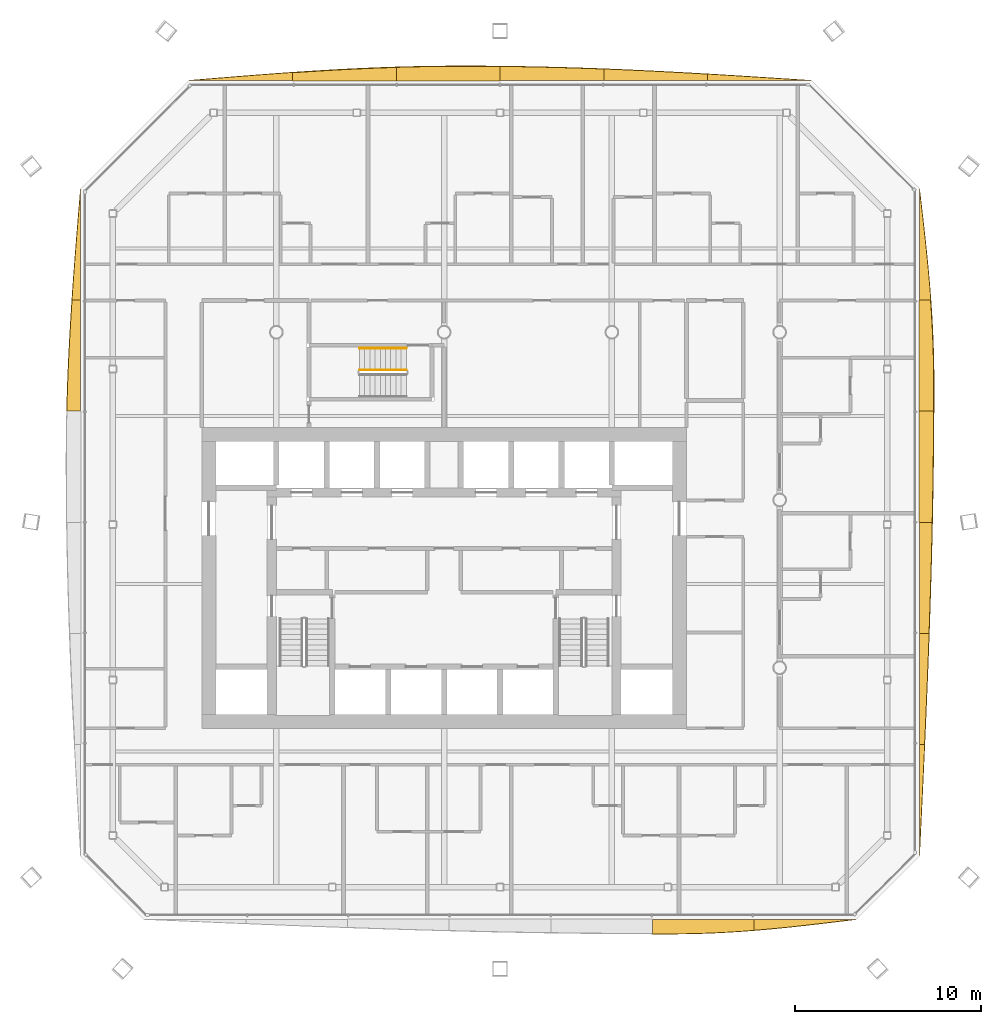
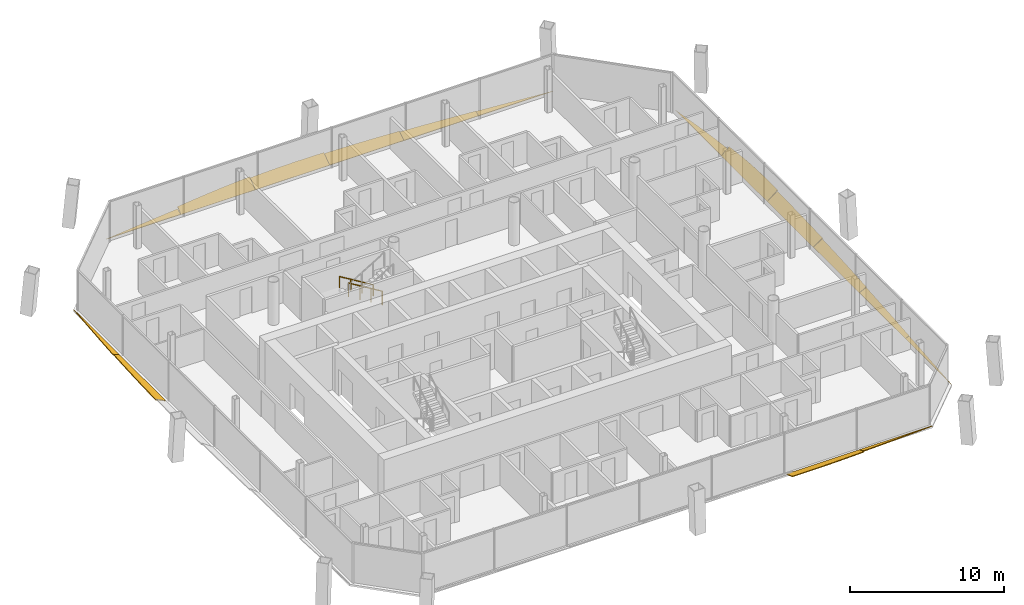
# One storey, part 18 of 18: 16 shading devices, 2 railings.
"""IFC4 building model written with IfcOpenShell, lengths in metres."""

from ifc_helpers import new_model, si_unit, direction, frame, origin, origin_2d, place, context, subcontext, project, spatial, polyline, circle, outline, extrude, material, layer, layer_set, type_object, element, save


model = new_model("IFC4")

# Units and contexts
model_context = context("Model", 3, precision=1e-05, world=origin(), true_north=direction((0.0, 1.0)))
body_context = subcontext(model_context, "Body", "Model", "MODEL_VIEW")
ifc_project = project(units=[si_unit("LENGTHUNIT", "METRE"), si_unit("AREAUNIT", "SQUARE_METRE"), si_unit("VOLUMEUNIT", "CUBIC_METRE"), si_unit("PLANEANGLEUNIT", "RADIAN"), si_unit("MASSUNIT", "GRAM", prefix="KILO")], contexts=[model_context])

# Site, building, storey
site_placement = place(None, origin())
site = spatial("IfcSite", under=ifc_project, at=site_placement, CompositionType="ELEMENT")
building_placement = place(site_placement, origin())
building = spatial("IfcBuilding", under=site, at=building_placement, Name="Tskaro Facet Tower", CompositionType="ELEMENT")
storey_placement = place(building_placement, frame((0.0, 0.0, 145.300048828125)))
storey = spatial("IfcBuildingStorey", under=building, at=storey_placement, Name="L35", CompositionType="ELEMENT", Elevation=145.300048828125)

# Shading devices
ifc_material_1 = material(Name="Bronze anodised aluminium 6063-T6", Category="aluminium")
ifc_layer = layer(ifc_material_1, 0.06005859375, Name="Bronze anodised aluminium 6063-T6")
ifc_layer_set = layer_set([ifc_layer], Name="Bronze anodised aluminium 6063-T6")
shading_device_type = type_object("IfcShadingDeviceType", Name="Bronze sun blade (FN1)", PredefinedType="USERDEFINED", material=ifc_layer_set)
shading_device_1_placement = place(storey_placement, frame((11.18017578125, -22.50146484375, 0.056396484375), z_axis=(3.764767e-06, 0.34190468664, 0.939734635543), x_axis=(0.999999999993, -1.287191e-06, -3.537882e-06)))
element("IfcShadingDevice", 1, at=shading_device_1_placement, inside=storey, type_object=shading_device_type, Name="Fin blade south 6", ObjectType="FIN", PredefinedType="USERDEFINED", context=body_context, shape_type="SweptSolid", body=[
    extrude(outline(polyline([(0.0, 0.0), (5.453369140586354, 0.0), (5.453369140758174, -0.6292127236898513), (4.7717285157981575, -0.6835069851680581), (4.090087890911619, -0.7300002235457863), (3.4084472660195284, -0.7679206837953767), (2.7265624998683786, -0.7968095111143143), (2.0449218745719047, -0.8165832326787122), (1.3632812497403393, -0.8266995208621686), (0.9816894530260964, -0.8282430309174867), (0.6816406245889671, -0.8280136035162295), (6.425620104998871e-11, -0.8269289482634258), (0.0, 0.0)])), origin(), (0.0, 0.0, -1.0), 0.06005859375),
])
shading_device_2_placement = place(storey_placement, frame((16.633544921875, -22.49658203125, 0.054443359375), z_axis=(3.0324783e-05, 0.422263320946, 0.906473213539), x_axis=(0.99999999954, -1.2805044e-05, -2.7488604e-05)))
element("IfcShadingDevice", 2, at=shading_device_2_placement, inside=storey, type_object=shading_device_type, Name="Fin blade south 7", ObjectType="FIN", PredefinedType="USERDEFINED", context=body_context, shape_type="SweptSolid", body=[
    extrude(outline(polyline([(0.0, 0.0), (5.453369138117561, 0.0), (4.771728511954754, -0.09240294037337074), (4.090087889835422, -0.18393577667346303), (3.4084472664243464, -0.27306448401599565), (2.7268066421801507, -0.3592433568958289), (2.0451660148938475, -0.44115967736568257), (1.3632812479840242, -0.5179433413522782), (0.6816406236177015, -0.5885029378453362), (-5.0824718289418125e-09, -0.6523958529708551), (0.0, 0.0)])), origin(), (0.0, 0.0, -1.0), 0.06005859375),
])
shading_device_3_placement = place(storey_placement, frame((25.50146484375, -19.0869140625, 0.056396484375), z_axis=(-0.341986622188, 5.828294e-06, 0.939704820787), x_axis=(1.993199e-06, 0.999999999983, -5.476876e-06)))
element("IfcShadingDevice", 3, at=shading_device_3_placement, inside=storey, type_object=shading_device_type, Name="Fin blade east 1", ObjectType="FIN", PredefinedType="USERDEFINED", context=body_context, shape_type="SweptSolid", body=[
    extrude(outline(polyline([(0.0, 0.0), (5.963867187398707, -1.262898000215335e-21), (5.963867187606474, -0.29850372245598195), (5.2182617185718705, -0.2626691041990216), (4.472900390039528, -0.2260627327475781), (3.727294921732698, -0.18914344834618424), (2.98193359441475, -0.1516818308725736), (2.2363281246480575, -0.11407428610438058), (1.4909667963568678, -0.07615382838623719), (0.7453613287778103, -0.03814987784040977), (0.0, 0.0)])), origin(), (0.0, 0.0, -1.0), 0.06005859375),
])
shading_device_4_placement = place(storey_placement, frame((25.49658203125, -13.123046875, 0.054443359375), z_axis=(-0.422369454388, -4.078304e-06, 0.906423766228), x_axis=(-1.722551e-06, 0.999999999992, 3.696671e-06)))
element("IfcShadingDevice", 4, at=shading_device_4_placement, inside=storey, type_object=shading_device_type, Name="Fin blade east 2", ObjectType="FIN", PredefinedType="USERDEFINED", context=body_context, shape_type="SweptSolid", body=[
    extrude(outline(polyline([(0.0, 0.0), (5.963623046825405, 0.0), (5.963623046782822, -0.5774706151725063), (5.2182617184140785, -0.5475447729653463), (4.4726562506205525, -0.5164093388915918), (3.727294922006137, -0.48430066759569834), (2.9816894526438853, -0.4511005817554381), (2.2363281246863025, -0.41691219891338716), (1.4907226564628486, -0.38195681393434927), (0.7453613283210111, -0.34613130927574826), (-3.642078219759117e-10, -0.3094356849375843), (0.0, 0.0)])), origin(), (0.0, 0.0, -1.0), 0.06005859375),
])
shading_device_5_placement = place(storey_placement, frame((25.491943359375, -7.159423828125, 0.052001953125), z_axis=(-0.499869673052, -8.621189e-06, 0.866100634966), x_axis=(-4.309471e-06, 0.999999999963, 7.466817e-06)))
element("IfcShadingDevice", 5, at=shading_device_5_placement, inside=storey, type_object=shading_device_type, Name="Fin blade east 3", ObjectType="FIN", PredefinedType="USERDEFINED", context=body_context, shape_type="SweptSolid", body=[
    extrude(outline(polyline([(0.0, 0.0), (5.9638671872783675, 0.0), (5.96386718750353, -0.8033868217641642), (5.21850585908416, -0.7839152078145305), (4.472900389831523, -0.7630202266299839), (3.7275390630998353, -0.7402789775098417), (2.981933593711928, -0.7159923226603848), (2.236572265792853, -0.6900708502256738), (1.4909667959883934, -0.6629374609063914), (0.7456054694757204, -0.6342912924962567), (-7.452899594940548e-10, -0.6043111687071486), (0.0, 0.0)])), origin(), (0.0, 0.0, -1.0), 0.06005859375),
])
shading_device_6_placement = place(storey_placement, frame((25.487548828125, -1.195556640625, 0.049072265625), z_axis=(-0.573562744159, 1.965247e-06, 0.819161631492), x_axis=(1.127193e-06, 0.999999999998, -1.609855e-06)))
element("IfcShadingDevice", 6, at=shading_device_6_placement, inside=storey, type_object=shading_device_type, Name="Fin blade east 4", ObjectType="FIN", PredefinedType="USERDEFINED", context=body_context, shape_type="SweptSolid", body=[
    extrude(outline(polyline([(0.0, 0.0), (5.963867187488484, 6.314490001076675e-22), (5.963867187362509, -0.9457168638314151), (5.218505859277031, -0.940636663473672), (4.472900390605355, -0.933456378852927), (3.7275390625974785, -0.9241760099691796), (2.9819335938855653, -0.913135577421955), (2.2365722658374527, -0.8999950606117282), (1.49096679681011, -0.8848944895053351), (0.7456054686039234, -0.8682338453681537), (-1.884620409867429e-10, -0.8494731169679701), (0.0, 0.0)])), origin(), (0.0, 0.0, -1.0), 0.06005859375),
])
shading_device_7_placement = place(storey_placement, frame((25.4833984375, 4.768310546875, 0.0458984375), z_axis=(-0.642791123858, 1.3308403e-05, 0.766041494249), x_axis=(8.554523e-06, 0.999999999911, -1.0194789e-05)))
element("IfcShadingDevice", 7, at=shading_device_7_placement, inside=storey, type_object=shading_device_type, Name="Fin blade east 5", ObjectType="FIN", PredefinedType="USERDEFINED", context=body_context, shape_type="SweptSolid", body=[
    extrude(outline(polyline([(0.0, 0.0), (5.963867186971859, 0.0), (5.963867187683563, -0.7976716846919052), (5.218261718641515, -0.8633473224523268), (4.472900391395122, -0.9181132059646215), (3.727539061542845, -0.9612513382544565), (2.9819335938380873, -0.9921039031924219), (2.2365722649533364, -1.0106408103560562), (1.550537109423233, -1.0160172217667511), (1.4909667969285083, -1.0160172217667511), (0.7456054679823748, -1.0147983400897456), (-1.2745108816422494e-09, -1.0113287169079275), (0.0, 0.0)])), origin(), (0.0, 0.0, -1.0), 0.06005859375),
])
shading_device_8_placement = place(storey_placement, frame((25.50146484375, 10.732177734375, 0.056396484375), z_axis=(-0.341837908102, 2.2224119e-05, 0.93975892871), x_axis=(7.597047e-06, 0.999999999753, -2.0885315e-05)))
element("IfcShadingDevice", 8, at=shading_device_8_placement, inside=storey, type_object=shading_device_type, Name="Fin blade east 6", ObjectType="FIN", PredefinedType="USERDEFINED", context=body_context, shape_type="SweptSolid", body=[
    extrude(outline(polyline([(0.0, 0.0), (5.963867186027189, 0.0), (5.218261720451745, -0.09321591395373816), (4.4729003913264584, -0.1852012047256165), (3.727294922035112, -0.27510065927774446), (2.981933592897006, -0.36137076457544764), (2.236328125441178, -0.4429268742485742), (1.490966793498518, -0.5188512549680789), (0.7453613255517636, -0.588205237175518), (-2.713448202798815e-09, -0.6503005208741074), (0.0, 0.0)])), origin(), (0.0, 0.0, -1.0), 0.06005859375),
])
shading_device_9_placement = place(storey_placement, frame((19.696044921875, 22.50146484375, 0.056396484375), z_axis=(2.1700268e-05, -0.341697942347, 0.939809829553), x_axis=(-0.999999999765, -7.414937e-06, 2.0394125e-05)))
element("IfcShadingDevice", 9, at=shading_device_9_placement, inside=storey, type_object=shading_device_type, Name="Fin blade north 1", ObjectType="FIN", PredefinedType="USERDEFINED", context=body_context, shape_type="SweptSolid", body=[
    extrude(outline(polyline([(0.0, 0.0), (5.565429686189615, 0.0), (5.56542968884174, -0.3733434446473556), (4.8696289049939905, -0.3293949256868089), (4.174072264033297, -0.28444520134014767), (3.478271484709776, -0.23849427160737177), (2.7827148414839913, -0.191688159898478), (2.087158201878781, -0.14442315667113972), (1.391357420290168, -0.09661583957613136), (0.6958007829470725, -0.04834963096267844), (0.0, 0.0)])), origin(), (0.0, 0.0, -1.0), 0.06005859375),
])
shading_device_10_placement = place(storey_placement, frame((14.130615234375, 22.49658203125, 0.054443359375), z_axis=(2.4820826e-05, -0.422424275843, 0.906398218534), x_axis=(-0.999999999692, -1.0484919e-05, 2.2497552e-05)))
element("IfcShadingDevice", 10, at=shading_device_10_placement, inside=storey, type_object=shading_device_type, Name="Fin blade north 2", ObjectType="FIN", PredefinedType="USERDEFINED", context=body_context, shape_type="SweptSolid", body=[
    extrude(outline(polyline([(0.0, 0.0), (5.565185545160719, -9.427791031573133e-21), (5.565185548396648, -0.6909499182912363), (4.869628905763713, -0.6599326560680625), (4.173828121013946, -0.6267325611167631), (3.4782714808897626, -0.5914527643640897), (2.7827148447662373, -0.554093265810042), (2.086914063966085, -0.5147722231555091), (1.391357422671927, -0.47381405595488185), (0.695556639633913, -0.4312187642081607), (-3.898106959239177e-09, -0.3869863479153453), (0.0, 0.0)])), origin(), (0.0, 0.0, -1.0), 0.06005859375),
])
shading_device_11_placement = place(storey_placement, frame((8.5654296875, 22.491943359375, 0.052001953125), z_axis=(5.88928e-06, -0.499905181009, 0.866080140614), x_axis=(-0.999999999983, -2.944082e-06, 5.100588e-06)))
element("IfcShadingDevice", 11, at=shading_device_11_placement, inside=storey, type_object=shading_device_type, Name="Fin blade north 3", ObjectType="FIN", PredefinedType="USERDEFINED", context=body_context, shape_type="SweptSolid", body=[
    extrude(outline(polyline([(0.0, 0.0), (5.565429687403485, 0.0), (5.565429687212819, -0.8859662793853837), (4.86987304704389, -0.8755798111225326), (4.1740722659661005, -0.862346606411343), (3.478515625229439, -0.8462666652518147), (2.7827148430574256, -0.8270064951337803), (2.0871582024718034, -0.8050216357307418), (1.3913574222225797, -0.7803120870426994), (0.6958007815957165, -0.7529672472531516), (-6.587786316788652e-10, -0.7229871163620982), (0.0, 0.0)])), origin(), (0.0, 0.0, -1.0), 0.06005859375),
])
shading_device_12_placement = place(storey_placement, frame((3.0, 22.487548828125, 0.049072265625), z_axis=(-1.495959e-05, -0.573562425819, 0.819161854254), x_axis=(-0.999999999888, 8.580259e-06, -1.2254326e-05)))
element("IfcShadingDevice", 12, at=shading_device_12_placement, inside=storey, type_object=shading_device_type, Name="Fin blade north 4", ObjectType="FIN", PredefinedType="USERDEFINED", context=body_context, shape_type="SweptSolid", body=[
    extrude(outline(polyline([(0.0, 0.0), (5.565429686877258, 4.714102310939705e-21), (5.565429688489425, -0.8821143640852218), (4.869628905266064, -0.9057553021571858), (4.174072265052384, -0.9245160305660325), (3.4782714815118716, -0.9383365885137973), (2.7827148448698082, -0.9467968863330853), (2.0869140628061222, -0.9501170230041956), (2.003417969065465, -0.9501170230041956), (1.3913574228551282, -0.9488969705884163), (0.6955566401789255, -0.9444968113906583), (-9.807620678693198e-10, -0.9367765155217902), (0.0, 0.0)])), origin(), (0.0, 0.0, -1.0), 0.06005859375),
])
shading_device_13_placement = place(storey_placement, frame((-2.5654296875, 22.4833984375, 0.0458984375), z_axis=(1.1045541e-05, -0.642814001122, 0.766022297221), x_axis=(-0.999999999939, -7.100228e-06, 8.46113e-06)))
element("IfcShadingDevice", 13, at=shading_device_13_placement, inside=storey, type_object=shading_device_type, Name="Fin blade north 5", ObjectType="FIN", PredefinedType="USERDEFINED", context=body_context, shape_type="SweptSolid", body=[
    extrude(outline(polyline([(0.0, 0.0), (5.5651855465355125, 0.0), (5.565185545345753, -0.5694482502338469), (4.869628906252055, -0.6304353871882085), (4.17382812494431, -0.68779596523594), (3.478271482672489, -0.741529984377042), (2.7824707033869847, -0.7910763931242575), (2.0869140624729012, -0.8363083346160012), (1.3913574227721615, -0.8768517745274351), (0.6955566415940753, -0.912549775846557), (-1.8770928608178265e-09, -0.9432454015613649), (0.0, 0.0)])), origin(), (0.0, 0.0, -1.0), 0.06005859375),
])
shading_device_14_placement = place(storey_placement, frame((-8.130615234375, 22.50146484375, 0.056396484375), z_axis=(-6.518672e-06, -0.341753307971, 0.93978969799), x_axis=(-0.999999999979, 2.227778e-06, -6.126181e-06)))
element("IfcShadingDevice", 14, at=shading_device_14_placement, inside=storey, type_object=shading_device_type, Name="Fin blade north 6", ObjectType="FIN", PredefinedType="USERDEFINED", context=body_context, shape_type="SweptSolid", body=[
    extrude(outline(polyline([(0.0, 0.0), (5.565429687381754, 0.0), (4.869628906422848, -0.061552964578741286), (4.174072265001156, -0.12264704746900107), (3.478271484857986, -0.1831153769383681), (2.7827148431642468, -0.24266594303077216), (2.0871582032380003, -0.3008189973033556), (1.3913574224147127, -0.35742853477808323), (0.6958007808565905, -0.4120356737664737), (-2.389474358708191e-10, -0.4642441016918749), (0.0, 0.0)])), origin(), (0.0, 0.0, -1.0), 0.06005859375),
])
shading_device_15_placement = place(storey_placement, frame((-19.50146484375, 16.696044921875, 0.056396484375), z_axis=(0.341757451836, 2.91503e-06, 0.939788191087), x_axis=(9.96233e-07, -0.999999999996, 2.73951e-06)))
element("IfcShadingDevice", 15, at=shading_device_15_placement, inside=storey, type_object=shading_device_type, Name="Fin blade west 1", ObjectType="FIN", PredefinedType="USERDEFINED", context=body_context, shape_type="SweptSolid", body=[
    extrude(outline(polyline([(0.0, 0.0), (5.963867187474662, -6.314490001076675e-22), (5.9638671875134355, -0.4935917876689579), (5.218505859637246, -0.4390680849178109), (4.47290039046736, -0.38160335253746824), (3.72753906277381, -0.32190678211428114), (2.981933593725725, -0.26004094036880987), (2.236572265667535, -0.19640214153317512), (1.4909667966195777, -0.13167870703639825), (0.7456054685006779, -0.06595407375636937), (0.0, 0.0)])), origin(), (0.0, 0.0, -1.0), 0.06005859375),
])
shading_device_16_placement = place(storey_placement, frame((-19.49658203125, 10.732177734375, 0.054443359375), z_axis=(0.422467843474, -7.008986e-06, 0.906377913004), x_axis=(-2.961071e-06, -0.999999999975, -6.35279e-06)))
element("IfcShadingDevice", 16, at=shading_device_16_placement, inside=storey, type_object=shading_device_type, Name="Fin blade west 2", ObjectType="FIN", PredefinedType="USERDEFINED", context=body_context, shape_type="SweptSolid", body=[
    extrude(outline(polyline([(0.0, 0.0), (5.96386718735351, 0.0), (5.963867187490401, -0.8218037807806648), (5.218261717693557, -0.7995178567490296), (4.4729003902960125, -0.7719961273506121), (3.727294921668746, -0.7396661593822857), (2.981933594612721, -0.7024248112807001), (2.2363281254989187, -0.6606996498427289), (1.490966797023163, -0.6149332424087168), (0.7456054685604595, -0.5651255889786639), (-6.193238554293144e-10, -0.5118223984562659), (0.0, 0.0)])), origin(), (0.0, 0.0, -1.0), 0.06005859375),
])

# Railings
ifc_material_2 = material(Name="Stainless steel", Category="steel")
railing_type_1 = type_object("IfcRailingType", Name="RL-GUARD-1100", PredefinedType="GUARDRAIL", material=ifc_material_2)
railing_1_placement = place(storey_placement, frame((-2.02490234375, 6.97509765625, 0.169921875)))
element("IfcRailing", 17, at=railing_1_placement, inside=storey, type_object=railing_type_1, Name="L35 ST-3 stair guard 1", PredefinedType="GUARDRAIL", context=body_context, shape_type="SweptSolid", body=[
    extrude(circle(Radius=0.02392578125, at=origin_2d()), frame((0.0, 0.0, 1.076171875), z_axis=(-0.85478489116, 0.0, 0.518982456201), x_axis=(0.0, -1.0, 0.0)), (0.0, 0.0, 1.0), 2.9482421875),
    extrude(circle(Radius=0.02099609375, at=origin_2d()), origin(), (0.0, 0.0, 1.0), 1.052001953125),
    extrude(circle(Radius=0.02099609375, at=origin_2d()), frame((-0.840087890625, 0.0, 0.510009765625)), (0.0, 0.0, 1.0), 1.052001953125),
    extrude(circle(Radius=0.02099609375, at=origin_2d()), frame((-1.679931640625, 0.0, 1.02001953125)), (0.0, 0.0, 1.0), 1.052001953125),
    extrude(circle(Radius=0.02099609375, at=origin_2d()), frame((-2.52001953125, 0.0, 1.530029296875)), (0.0, 0.0, 1.0), 1.052001953125),
])
railing_type_2 = type_object("IfcRailingType", Name="RL-HANDRAIL-900", PredefinedType="HANDRAIL", material=ifc_material_2)
railing_2_placement = place(storey_placement, frame((-2.02490234375, 8.14990234375, 0.169921875)))
element("IfcRailing", 18, at=railing_2_placement, inside=storey, type_object=railing_type_2, Name="L35 ST-3 stair handrail 1", PredefinedType="HANDRAIL", context=body_context, shape_type="SweptSolid", body=[
    extrude(circle(Radius=0.02392578125, at=origin_2d()), frame((0.0, 0.0, 0.8759765625), z_axis=(-0.85478489116, 0.0, 0.518982456201), x_axis=(0.0, -1.0, 0.0)), (0.0, 0.0, 1.0), 2.9482421875),
    extrude(circle(Radius=0.02099609375, at=origin_2d()), origin(), (0.0, 0.0, 1.0), 0.851806640625),
    extrude(circle(Radius=0.02099609375, at=origin_2d()), frame((-0.840087890625, 0.0, 0.510009765625)), (0.0, 0.0, 1.0), 0.851806640625),
    extrude(circle(Radius=0.02099609375, at=origin_2d()), frame((-1.679931640625, 0.0, 1.02001953125)), (0.0, 0.0, 1.0), 0.851806640625),
    extrude(circle(Radius=0.02099609375, at=origin_2d()), frame((-2.52001953125, 0.0, 1.530029296875)), (0.0, 0.0, 1.0), 0.851806640625),
])

save(model, "model.ifc")
